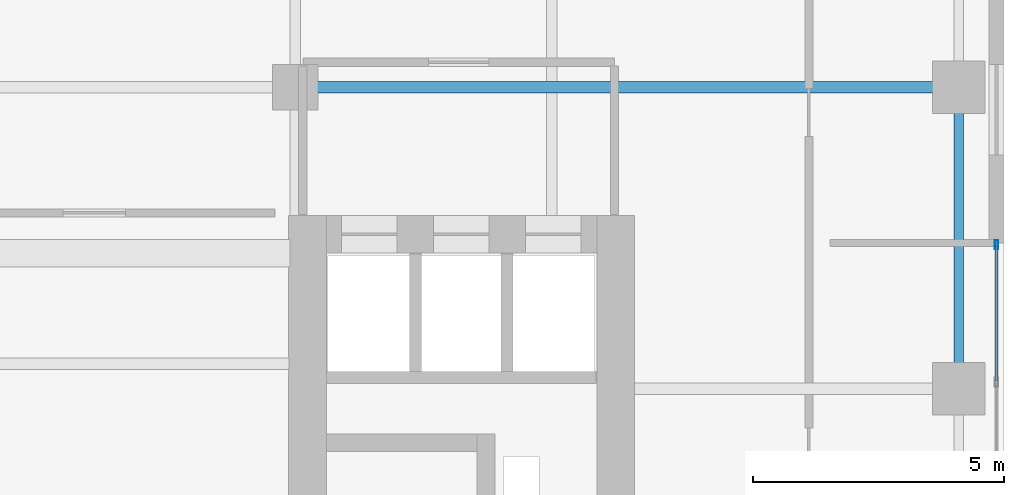
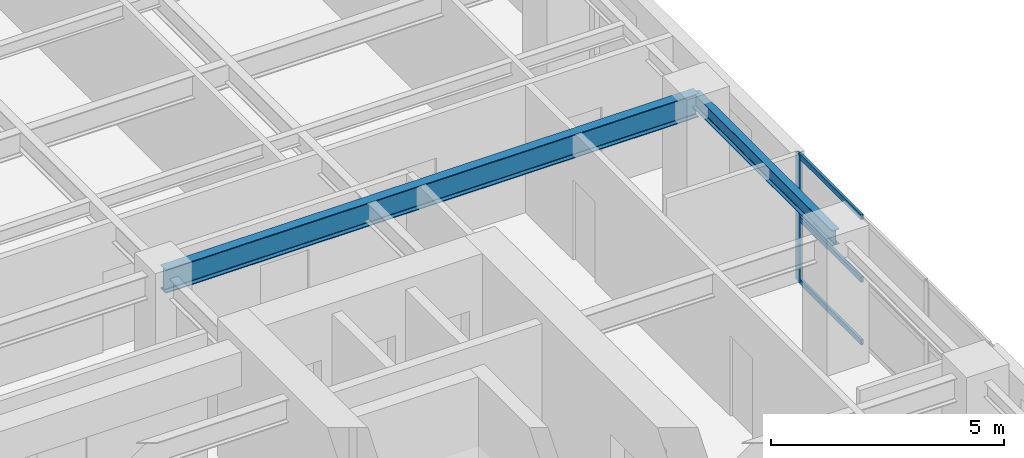
# One storey, part 10 of 18: 4 members, 2 beams, 1 element without a shape of its own.
"""IFC4 building model written with IfcOpenShell, lengths in metres."""

from ifc_helpers import new_model, si_unit, direction, frame, origin, origin_2d, place, context, subcontext, project, spatial, hollow_rectangle, i_section, extrude, source, transform, mapped, material, layer, layer_set, material_profile, profile_set, type_object, element, aggregate, save


model = new_model("IFC4")

# Units and contexts
model_context = context("Model", 3, precision=1e-05, world=origin(), true_north=direction((0.0, 1.0)))
body_context = subcontext(model_context, "Body", "Model", "MODEL_VIEW")
ifc_project = project(units=[si_unit("LENGTHUNIT", "METRE"), si_unit("AREAUNIT", "SQUARE_METRE"), si_unit("VOLUMEUNIT", "CUBIC_METRE"), si_unit("PLANEANGLEUNIT", "RADIAN"), si_unit("MASSUNIT", "GRAM", prefix="KILO")], contexts=[model_context])

# Site, building, storey
site_placement = place(None, origin())
site = spatial("IfcSite", under=ifc_project, at=site_placement, CompositionType="ELEMENT")
building_placement = place(site_placement, origin())
building = spatial("IfcBuilding", under=site, at=building_placement, Name="Khoralis Quay Care Tower", CompositionType="ELEMENT")
storey_placement = place(building_placement, frame((0.0, 0.0, 130.5)))
storey = spatial("IfcBuildingStorey", under=building, at=storey_placement, Name="L34", CompositionType="ELEMENT", Elevation=130.5)

# Beams
ifc_material_1 = material(Name="Steel S355", Category="steel")
ifc_material_profile_1 = material_profile(ifc_material_1, i_section(OverallWidth=0.179931640625, OverallDepth=0.39990234375, WebThickness=0.008544921875, FlangeThickness=0.013427734375, FilletRadius=0.02099609375, at=origin_2d()), Name="Steel S355")
ifc_profile_set_1 = profile_set([ifc_material_profile_1], Name="Steel S355")
beam_type_1 = type_object("IfcBeamType", Name="BM-IPE400", PredefinedType="SPANDREL", material=ifc_profile_set_1)
shared_shape_1 = source(origin(), body_context, "Body", "SweptSolid", [
    extrude(i_section(OverallWidth=0.179931640625, OverallDepth=0.39990234375, WebThickness=0.008544921875, FlangeThickness=0.013427734375, FilletRadius=0.02099609375, at=origin_2d()), origin(), (0.0, 0.0, 1.0), 6.0),
])
beam_1_placement = place(storey_placement, frame((44.10009765625, 24.0, 3.139892578125), z_axis=(0.0, 1.0, 0.0), x_axis=(-1.0, 0.0, 0.0)))
element("IfcBeam", 1, at=beam_1_placement, inside=storey, type_object=beam_type_1, Name="BM-TSP-L34-19", PredefinedType="SPANDREL", context=body_context, shape_type="MappedRepresentation", body=[
    mapped(shared_shape_1, transform((0.0, 0.0, 0.0), scale=1.0)),
])
ifc_material_profile_2 = material_profile(ifc_material_1, i_section(OverallWidth=0.22998046875, OverallDepth=0.616943359375, WebThickness=0.01318359375, FlangeThickness=0.022216796875, FilletRadius=0.01806640625, at=origin_2d()), Name="Steel S355")
ifc_profile_set_2 = profile_set([ifc_material_profile_2], Name="Steel S355")
beam_type_2 = type_object("IfcBeamType", Name="BM-W610X140", PredefinedType="BEAM", material=ifc_profile_set_2)
shared_shape_2 = source(origin(), body_context, "Body", "SweptSolid", [
    extrude(i_section(OverallWidth=0.22998046875, OverallDepth=0.616943359375, WebThickness=0.01318359375, FlangeThickness=0.022216796875, FilletRadius=0.01806640625, at=origin_2d()), origin(), (0.0, 0.0, 1.0), 13.2001953125),
])
beam_2_placement = place(storey_placement, frame((30.89990234375, 30.0, 3.031494140625), z_axis=(1.0, 0.0, 0.0), x_axis=(0.0, 1.0, 0.0)))
element("IfcBeam", 2, at=beam_2_placement, inside=storey, type_object=beam_type_2, Name="BM-TGXE-L34-300", PredefinedType="BEAM", context=body_context, shape_type="MappedRepresentation", body=[
    mapped(shared_shape_2, transform((0.0, 0.0, 0.0), scale=1.0)),
])

# Curtain wall, members
ifc_material_2 = material(Name="Pale anodised aluminium", Category="aluminium")
ifc_layer = layer(ifc_material_2, 0.169921875)
ifc_layer_set = layer_set([ifc_layer], Name="Pale anodised aluminium")
curtain_wall_type = type_object("IfcCurtainWallType", Name="CW-SYS-Z2", PredefinedType="NOTDEFINED", material=ifc_layer_set)
curtain_wall_placement = place(storey_placement, origin())
curtain_wall = element("IfcCurtainWall", 3, at=curtain_wall_placement, inside=storey, type_object=curtain_wall_type, Name="L34 Unitised Curtain Wall CW-L34-P1-E5", PredefinedType="NOTDEFINED")
ifc_material_profile_3 = material_profile(ifc_material_2, hollow_rectangle(XDim=0.06494140625, YDim=0.179931640625, WallThickness=0.00390625, at=origin_2d()), Name="Pale anodised aluminium")
ifc_profile_set_3 = profile_set([ifc_material_profile_3], Name="Pale anodised aluminium")
member_type_1 = type_object("IfcMemberType", Name="CW-MUL-180", PredefinedType="MULLION", material=ifc_profile_set_3)
shared_shape_3 = source(origin(), body_context, "Body", "SweptSolid", [
    extrude(hollow_rectangle(XDim=0.06494140625, YDim=0.179931640625, WallThickness=0.00390625, at=origin_2d()), origin(), (0.0, 0.0, 1.0), 3.340087890625),
])
member_1_placement = place(storey_placement, frame((44.85009765625, 26.8701171875, 0.0), z_axis=(0.0, 0.0, 1.0), x_axis=(-1.0, 0.0, 0.0)))
member_1 = element("IfcMember", 4, at=member_1_placement, type_object=member_type_1, Name="CW2 mullion 4", PredefinedType="MULLION", context=body_context, shape_type="MappedRepresentation", body=[
    mapped(shared_shape_3, transform((0.0, 0.0, 0.0), scale=1.0)),
])
ifc_material_profile_4 = material_profile(ifc_material_2, hollow_rectangle(XDim=0.06005859375, YDim=0.139892578125, WallThickness=0.00390625, at=origin_2d()), Name="Pale anodised aluminium")
ifc_profile_set_4 = profile_set([ifc_material_profile_4], Name="Pale anodised aluminium")
member_type_2 = type_object("IfcMemberType", Name="CW-TRN-140", PredefinedType="USERDEFINED", material=ifc_profile_set_4)
shared_shape_4 = source(origin(), body_context, "Body", "SweptSolid", [
    extrude(hollow_rectangle(XDim=0.06005859375, YDim=0.139892578125, WallThickness=0.00390625, at=origin_2d()), origin(), (0.0, 0.0, 1.0), 2.6767578125),
])
member_2_placement = place(storey_placement, frame((44.85009765625, 24.163330078125, 0.030029296875), z_axis=(0.0, 1.0, 0.0), x_axis=(-1.0, 0.0, 0.0)))
member_2 = element("IfcMember", 5, at=member_2_placement, type_object=member_type_2, Name="CW2 transom 3.1", ObjectType="TRANSOM", PredefinedType="USERDEFINED", context=body_context, shape_type="MappedRepresentation", body=[
    mapped(shared_shape_4, transform((0.0, 0.0, 0.0), scale=1.0)),
])
member_3_placement = place(storey_placement, frame((44.85009765625, 24.163330078125, 1.669921875), z_axis=(0.0, 1.0, 0.0), x_axis=(-1.0, 0.0, 0.0)))
member_3 = element("IfcMember", 6, at=member_3_placement, type_object=member_type_2, Name="CW2 transom 3.2", ObjectType="TRANSOM", PredefinedType="USERDEFINED", context=body_context, shape_type="MappedRepresentation", body=[
    mapped(shared_shape_4, transform((0.0, 0.0, 0.0), scale=1.0)),
])
member_4_placement = place(storey_placement, frame((44.85009765625, 24.163330078125, 3.31005859375), z_axis=(0.0, 1.0, 0.0), x_axis=(-1.0, 0.0, 0.0)))
member_4 = element("IfcMember", 7, at=member_4_placement, type_object=member_type_2, Name="CW2 transom 3.3", ObjectType="TRANSOM", PredefinedType="USERDEFINED", context=body_context, shape_type="MappedRepresentation", body=[
    mapped(shared_shape_4, transform((0.0, 0.0, 0.0), scale=1.0)),
])
aggregate(curtain_wall, [member_1, member_2, member_3, member_4])

save(model, "model.ifc")
